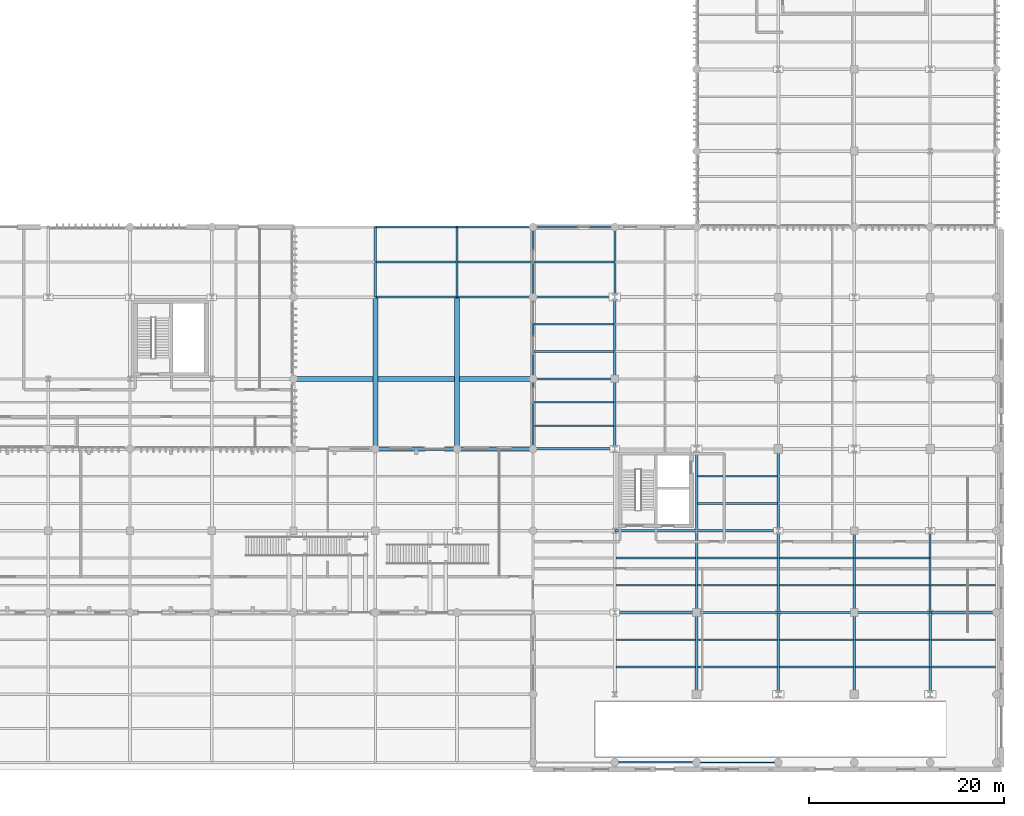
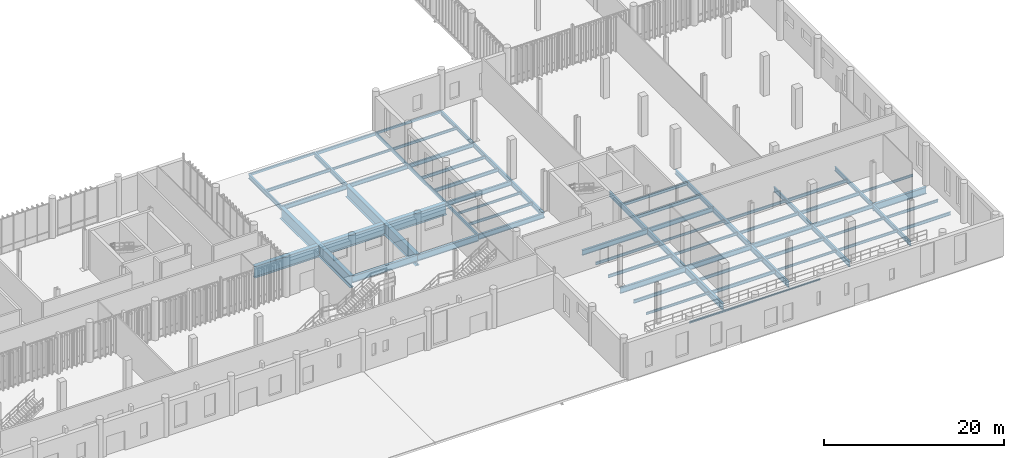
# One storey, part 54 of 112: 68 beams.
"""IFC4 building model written with IfcOpenShell, lengths in metres."""

from ifc_helpers import new_model, si_unit, direction, frame, origin_with_axes, origin_2d_with_axis, place, context, subcontext, project, spatial, hollow_rectangle, i_section, extrude, material, material_profile, profile_set, type_object, element, save


model = new_model("IFC4")

# Units and contexts
model_context = context("Model", 3, precision=1e-05, world=origin_with_axes(), true_north=direction((0.0, 1.0)))
body_context = subcontext(model_context, "Body", "Model", "MODEL_VIEW")
ifc_project = project(units=[si_unit("LENGTHUNIT", "METRE"), si_unit("AREAUNIT", "SQUARE_METRE"), si_unit("VOLUMEUNIT", "CUBIC_METRE"), si_unit("PLANEANGLEUNIT", "RADIAN"), si_unit("MASSUNIT", "GRAM", prefix="KILO"), si_unit("THERMODYNAMICTEMPERATUREUNIT", "KELVIN")], contexts=[model_context])

# Site, building, storey
site_placement = place(None, origin_with_axes())
site = spatial("IfcSite", under=ifc_project, at=site_placement, CompositionType="ELEMENT")
building_placement = place(site_placement, origin_with_axes())
building = spatial("IfcBuilding", under=site, at=building_placement, Name="Montbau Bow Law Courts", CompositionType="ELEMENT")
storey_placement = place(building_placement, origin_with_axes())
storey = spatial("IfcBuildingStorey", under=building, at=storey_placement, Name="L00", CompositionType="ELEMENT", Elevation=0.0)

# Beams
ifc_material_1 = material(Name="Steel CSA G40.21 Grade 350W (350 MPa)", Category="steel")
ifc_material_profile_1 = material_profile(ifc_material_1, i_section(OverallWidth=0.306, OverallDepth=0.919, WebThickness=0.0173, FlangeThickness=0.0279, at=origin_2d_with_axis()), Name="W920X253", Category="Main", Priority=0)
ifc_profile_set_1 = profile_set([ifc_material_profile_1], Name="Steel CSA G40.21 Grade 350W (350 MPa)")
beam_type_1 = type_object("IfcBeamType", Name="B-FLR-01", PredefinedType="BEAM", material=ifc_profile_set_1)
beam_1_placement = place(None, frame((105.6, 39.0, -0.75), z_axis=(1.0, 0.0, 0.0), x_axis=(0.0, 1.0, 0.0)))
element("IfcBeam", 1, at=beam_1_placement, inside=storey, type_object=beam_type_1, Name="BM-L00-S0195:bm2_0198", PredefinedType="BEAM", context=body_context, shape_type="SweptSolid", body=[
    extrude(i_section(OverallWidth=0.306, OverallDepth=0.919, WebThickness=0.0173, FlangeThickness=0.0279, at=origin_2d_with_axis()), origin_with_axes(), (0.0, 0.0, 1.0), 8.4),
])
beam_2_placement = place(None, frame((162.6, 22.2, -0.8), z_axis=(1.0, 0.0, 0.0), x_axis=(0.0, 1.0, 0.0)))
element("IfcBeam", 2, at=beam_2_placement, inside=storey, type_object=beam_type_1, Name="BM-L00-S0335:bm2_0338", PredefinedType="BEAM", context=body_context, shape_type="SweptSolid", body=[
    extrude(i_section(OverallWidth=0.306, OverallDepth=0.919, WebThickness=0.0173, FlangeThickness=0.0279, at=origin_2d_with_axis()), origin_with_axes(), (0.0, 0.0, 1.0), 6.8),
])
ifc_material_profile_2 = material_profile(ifc_material_1, i_section(OverallWidth=0.293, OverallDepth=0.846, WebThickness=0.0154, FlangeThickness=0.0244, at=origin_2d_with_axis()), Name="W840X210", Category="Main", Priority=0)
ifc_profile_set_2 = profile_set([ifc_material_profile_2], Name="Steel CSA G40.21 Grade 350W (350 MPa)")
beam_type_2 = type_object("IfcBeamType", Name="B-FLR-02", PredefinedType="BEAM", material=ifc_profile_set_2)
beam_3_placement = place(None, frame((114.0, 39.0, -0.763), z_axis=(1.0, 0.0, 0.0), x_axis=(0.0, 1.0, 0.0)))
element("IfcBeam", 3, at=beam_3_placement, inside=storey, type_object=beam_type_2, Name="BM-L00-S0196:bm2_0199", PredefinedType="BEAM", context=body_context, shape_type="SweptSolid", body=[
    extrude(i_section(OverallWidth=0.293, OverallDepth=0.846, WebThickness=0.0154, FlangeThickness=0.0244, at=origin_2d_with_axis()), origin_with_axes(), (0.0, 0.0, 1.0), 7.8),
])
beam_4_placement = place(None, frame((138.6, 13.8, -0.763), z_axis=(0.0, 1.0, 0.0), x_axis=(-1.0, 0.0, 0.0)))
element("IfcBeam", 4, at=beam_4_placement, inside=storey, type_object=beam_type_2, Name="BM-L00-S0372:bm2_0375", PredefinedType="BEAM", context=body_context, shape_type="SweptSolid", body=[
    extrude(i_section(OverallWidth=0.293, OverallDepth=0.846, WebThickness=0.0154, FlangeThickness=0.0244, at=origin_2d_with_axis()), origin_with_axes(), (0.0, 0.0, 1.0), 8.4),
])
ifc_material_profile_3 = material_profile(ifc_material_1, i_section(OverallWidth=0.267, OverallDepth=0.766, WebThickness=0.0149, FlangeThickness=0.0236, at=origin_2d_with_axis()), Name="W760X185", Category="Main", Priority=0)
ifc_profile_set_3 = profile_set([ifc_material_profile_3], Name="Steel CSA G40.21 Grade 350W (350 MPa)")
beam_type_3 = type_object("IfcBeamType", Name="B-FLR-03", PredefinedType="BEAM", material=ifc_profile_set_3)
for number, where, z_axis, x_axis, name in (
    (5, (130.2, 22.2, -0.723), (1.0, 0.0, 0.0), (0.0, 1.0, 0.0), "BM-L00-S0331:bm2_0334"),
    (6, (138.6, 22.2, -0.723), (0.0, 1.0, 0.0), (-1.0, 0.0, 0.0), "BM-L00-S0373:bm2_0376"),
    (7, (147.0, 13.8, -0.723), (0.0, 1.0, 0.0), (-1.0, 0.0, 0.0), "BM-L00-S0378:bm2_0381"),
):
    element("IfcBeam", number, at=place(None, frame(where, z_axis=z_axis, x_axis=x_axis)), inside=storey, type_object=beam_type_3, Name=name, PredefinedType="BEAM", context=body_context, shape_type="SweptSolid", body=[
        extrude(i_section(OverallWidth=0.267, OverallDepth=0.766, WebThickness=0.0149, FlangeThickness=0.0236, at=origin_2d_with_axis()), origin_with_axes(), (0.0, 0.0, 1.0), 8.4),
    ])
ifc_material_profile_4 = material_profile(ifc_material_1, i_section(OverallWidth=0.254, OverallDepth=0.688, WebThickness=0.0131, FlangeThickness=0.0211, at=origin_2d_with_axis()), Name="W690X152", Category="Main", Priority=0)
ifc_profile_set_4 = profile_set([ifc_material_profile_4], Name="Steel CSA G40.21 Grade 350W (350 MPa)")
beam_type_4 = type_object("IfcBeamType", Name="B-FLR-04", PredefinedType="BEAM", material=ifc_profile_set_4)
for number, where, z_axis, x_axis, name in (
    (8, (138.6, 22.2, -0.684), (1.0, 0.0, 0.0), (0.0, 1.0, 0.0), "BM-L00-S0332:bm2_0335"),
    (9, (130.2, 30.6, -0.684), (1.0, 0.0, 0.0), (0.0, 1.0, 0.0), "BM-L00-S0337:bm2_0340"),
    (10, (121.8, 39.0, -0.684), (1.0, 0.0, 0.0), (0.0, 1.0, 0.0), "BM-L00-S0342:bm2_0345"),
):
    element("IfcBeam", number, at=place(None, frame(where, z_axis=z_axis, x_axis=x_axis)), inside=storey, type_object=beam_type_4, Name=name, PredefinedType="BEAM", context=body_context, shape_type="SweptSolid", body=[
        extrude(i_section(OverallWidth=0.254, OverallDepth=0.688, WebThickness=0.0131, FlangeThickness=0.0211, at=origin_2d_with_axis()), origin_with_axes(), (0.0, 0.0, 1.0), 8.4),
    ])
beam_5_placement = place(None, frame((130.2, 39.0, -0.684), z_axis=(0.0, 1.0, 0.0), x_axis=(-1.0, 0.0, 0.0)))
element("IfcBeam", 11, at=beam_5_placement, inside=storey, type_object=beam_type_4, Name="BM-L00-S0369:bm2_0372", PredefinedType="BEAM", context=body_context, shape_type="SweptSolid", body=[
    extrude(i_section(OverallWidth=0.254, OverallDepth=0.688, WebThickness=0.0131, FlangeThickness=0.0211, at=origin_2d_with_axis()), origin_with_axes(), (0.0, 0.0, 1.0), 7.2),
])
for number, where, z_axis, x_axis, name in (
    (12, (138.6, 30.6, -0.684), (0.0, 1.0, 0.0), (-1.0, 0.0, 0.0), "BM-L00-S0374:bm2_0377"),
    (13, (147.0, 22.2, -0.684), (0.0, 1.0, 0.0), (-1.0, 0.0, 0.0), "BM-L00-S0379:bm2_0382"),
    (14, (154.8, 13.8, -0.684), (0.0, 1.0, 0.0), (-1.0, 0.0, 0.0), "BM-L00-S0384:bm2_0387"),
):
    element("IfcBeam", number, at=place(None, frame(where, z_axis=z_axis, x_axis=x_axis)), inside=storey, type_object=beam_type_4, Name=name, PredefinedType="BEAM", context=body_context, shape_type="SweptSolid", body=[
        extrude(i_section(OverallWidth=0.254, OverallDepth=0.688, WebThickness=0.0131, FlangeThickness=0.0211, at=origin_2d_with_axis()), origin_with_axes(), (0.0, 0.0, 1.0), 8.4),
    ])
ifc_material_profile_5 = material_profile(ifc_material_1, i_section(OverallWidth=0.229, OverallDepth=0.612, WebThickness=0.0119, FlangeThickness=0.0196, at=origin_2d_with_axis()), Name="W610X125", Category="Main", Priority=0)
ifc_profile_set_5 = profile_set([ifc_material_profile_5], Name="Steel CSA G40.21 Grade 350W (350 MPa)")
beam_type_5 = type_object("IfcBeamType", Name="B-FLR-05", PredefinedType="BEAM", material=ifc_profile_set_5)
beam_6_placement = place(None, frame((105.6, 54.6, -0.596), z_axis=(1.0, 0.0, 0.0), x_axis=(0.0, 1.0, 0.0)))
element("IfcBeam", 15, at=beam_6_placement, inside=storey, type_object=beam_type_5, Name="BM-L00-S0221:bm2_0224", PredefinedType="BEAM", context=body_context, shape_type="SweptSolid", body=[
    extrude(i_section(OverallWidth=0.229, OverallDepth=0.612, WebThickness=0.0119, FlangeThickness=0.0196, at=origin_2d_with_axis()), origin_with_axes(), (0.0, 0.0, 1.0), 8.4),
])
for number, where, z_axis, x_axis, name in (
    (16, (105.6, 54.6, -0.596), (0.0, 1.0, 0.0), (-1.0, 0.0, 0.0), "BM-L00-S0317:bm2_0320"),
    (17, (114.0, 54.6, -0.596), (0.0, 1.0, 0.0), (-1.0, 0.0, 0.0), "BM-L00-S0322:bm2_0325"),
):
    element("IfcBeam", number, at=place(None, frame(where, z_axis=z_axis, x_axis=x_axis)), inside=storey, type_object=beam_type_5, Name=name, PredefinedType="BEAM", context=body_context, shape_type="SweptSolid", body=[
        extrude(i_section(OverallWidth=0.229, OverallDepth=0.612, WebThickness=0.0119, FlangeThickness=0.0196, at=origin_2d_with_axis()), origin_with_axes(), (0.0, 0.0, 1.0), 7.2),
    ])
beam_7_placement = place(None, frame((147.0, 22.2, -0.646), z_axis=(1.0, 0.0, 0.0), x_axis=(0.0, 1.0, 0.0)))
element("IfcBeam", 18, at=beam_7_placement, inside=storey, type_object=beam_type_5, Name="BM-L00-S0333:bm2_0336", PredefinedType="BEAM", context=body_context, shape_type="SweptSolid", body=[
    extrude(i_section(OverallWidth=0.229, OverallDepth=0.612, WebThickness=0.0119, FlangeThickness=0.0196, at=origin_2d_with_axis()), origin_with_axes(), (0.0, 0.0, 1.0), 7.8),
])
for number, where, z_axis, x_axis, name in (
    (19, (138.6, 30.6, -0.646), (1.0, 0.0, 0.0), (0.0, 1.0, 0.0), "BM-L00-S0338:bm2_0341"),
    (20, (121.8, 46.2, -0.646), (1.0, 0.0, 0.0), (0.0, 1.0, 0.0), "BM-L00-S0348:bm2_0351"),
    (21, (130.2, 46.2, -0.646), (0.0, 1.0, 0.0), (-1.0, 0.0, 0.0), "BM-L00-S0370:bm2_0373"),
    (22, (147.0, 30.6, -0.646), (0.0, 1.0, 0.0), (-1.0, 0.0, 0.0), "BM-L00-S0380:bm2_0383"),
    (23, (154.8, 22.2, -0.646), (0.0, 1.0, 0.0), (-1.0, 0.0, 0.0), "BM-L00-S0385:bm2_0388"),
    (24, (162.6, 13.8, -0.646), (0.0, 1.0, 0.0), (-1.0, 0.0, 0.0), "BM-L00-S0390:bm2_0393"),
):
    element("IfcBeam", number, at=place(None, frame(where, z_axis=z_axis, x_axis=x_axis)), inside=storey, type_object=beam_type_5, Name=name, PredefinedType="BEAM", context=body_context, shape_type="SweptSolid", body=[
        extrude(i_section(OverallWidth=0.229, OverallDepth=0.612, WebThickness=0.0119, FlangeThickness=0.0196, at=origin_2d_with_axis()), origin_with_axes(), (0.0, 0.0, 1.0), 8.4),
    ])
ifc_material_profile_6 = material_profile(ifc_material_1, i_section(OverallWidth=0.21, OverallDepth=0.537, WebThickness=0.0109, FlangeThickness=0.0174, at=origin_2d_with_axis()), Name="W530X101", Category="Main", Priority=0)
ifc_profile_set_6 = profile_set([ifc_material_profile_6], Name="Steel CSA G40.21 Grade 350W (350 MPa)")
beam_type_6 = type_object("IfcBeamType", Name="B-FLR-06", PredefinedType="BEAM", material=ifc_profile_set_6)
for number, where, z_axis, x_axis, name in (
    (25, (114.0, 54.6, -0.609), (1.0, 0.0, 0.0), (0.0, 1.0, 0.0), "BM-L00-S0222:bm2_0225"),
    (26, (154.8, 22.2, -0.609), (1.0, 0.0, 0.0), (0.0, 1.0, 0.0), "BM-L00-S0334:bm2_0337"),
):
    element("IfcBeam", number, at=place(None, frame(where, z_axis=z_axis, x_axis=x_axis)), inside=storey, type_object=beam_type_6, Name=name, PredefinedType="BEAM", context=body_context, shape_type="SweptSolid", body=[
        extrude(i_section(OverallWidth=0.21, OverallDepth=0.537, WebThickness=0.0109, FlangeThickness=0.0174, at=origin_2d_with_axis()), origin_with_axes(), (0.0, 0.0, 1.0), 7.8),
    ])
beam_8_placement = place(None, frame((121.8, 54.6, -0.609), z_axis=(1.0, 0.0, 0.0), x_axis=(0.0, 1.0, 0.0)))
element("IfcBeam", 27, at=beam_8_placement, inside=storey, type_object=beam_type_6, Name="BM-L00-S0354:bm2_0357", PredefinedType="BEAM", context=body_context, shape_type="SweptSolid", body=[
    extrude(i_section(OverallWidth=0.21, OverallDepth=0.537, WebThickness=0.0109, FlangeThickness=0.0174, at=origin_2d_with_axis()), origin_with_axes(), (0.0, 0.0, 1.0), 8.4),
])
beam_9_placement = place(None, frame((130.2, 54.6, -0.609), z_axis=(0.0, 1.0, 0.0), x_axis=(-1.0, 0.0, 0.0)))
element("IfcBeam", 28, at=beam_9_placement, inside=storey, type_object=beam_type_6, Name="BM-L00-S0371:bm2_0374", PredefinedType="BEAM", context=body_context, shape_type="SweptSolid", body=[
    extrude(i_section(OverallWidth=0.21, OverallDepth=0.537, WebThickness=0.0109, FlangeThickness=0.0174, at=origin_2d_with_axis()), origin_with_axes(), (0.0, 0.0, 1.0), 7.2),
])
beam_10_placement = place(None, frame((162.6, 22.2, -0.609), z_axis=(0.0, 1.0, 0.0), x_axis=(-1.0, 0.0, 0.0)))
element("IfcBeam", 29, at=beam_10_placement, inside=storey, type_object=beam_type_6, Name="BM-L00-S0391:bm2_0394", PredefinedType="BEAM", context=body_context, shape_type="SweptSolid", body=[
    extrude(i_section(OverallWidth=0.21, OverallDepth=0.537, WebThickness=0.0109, FlangeThickness=0.0174, at=origin_2d_with_axis()), origin_with_axes(), (0.0, 0.0, 1.0), 8.4),
])
ifc_material_profile_7 = material_profile(ifc_material_1, i_section(OverallWidth=0.191, OverallDepth=0.46, WebThickness=0.0099, FlangeThickness=0.016, at=origin_2d_with_axis()), Name="W460X82", Category="Main", Priority=0)
ifc_profile_set_7 = profile_set([ifc_material_profile_7], Name="Steel CSA G40.21 Grade 350W (350 MPa)")
beam_type_7 = type_object("IfcBeamType", Name="B-JST-01", PredefinedType="JOIST", material=ifc_profile_set_7)
beam_11_placement = place(None, frame((121.88, 49.0, -0.57), z_axis=(1.0, 0.0, 0.0), x_axis=(0.0, 1.0, 0.0)))
element("IfcBeam", 30, at=beam_11_placement, inside=storey, type_object=beam_type_7, Name="JST-L00-S0124:jst2_0124", PredefinedType="JOIST", context=body_context, shape_type="SweptSolid", body=[
    extrude(i_section(OverallWidth=0.191, OverallDepth=0.46, WebThickness=0.0099, FlangeThickness=0.016, at=origin_2d_with_axis()), origin_with_axes(), (0.0, 0.0, 1.0), 8.229),
])
beam_12_placement = place(None, frame((130.329, 19.4, -0.57), z_axis=(1.0, 0.0, 0.0), x_axis=(0.0, 1.0, 0.0)))
element("IfcBeam", 31, at=beam_12_placement, inside=storey, type_object=beam_type_7, Name="JST-L00-S0128:jst2_0128", PredefinedType="JOIST", context=body_context, shape_type="SweptSolid", body=[
    extrude(i_section(OverallWidth=0.191, OverallDepth=0.46, WebThickness=0.0099, FlangeThickness=0.016, at=origin_2d_with_axis()), origin_with_axes(), (0.0, 0.0, 1.0), 8.148),
])
beam_13_placement = place(None, frame((138.722, 16.6, -0.57), z_axis=(1.0, 0.0, 0.0), x_axis=(0.0, 1.0, 0.0)))
element("IfcBeam", 32, at=beam_13_placement, inside=storey, type_object=beam_type_7, Name="JST-L00-S0136:jst2_0136", PredefinedType="JOIST", context=body_context, shape_type="SweptSolid", body=[
    extrude(i_section(OverallWidth=0.191, OverallDepth=0.46, WebThickness=0.0099, FlangeThickness=0.016, at=origin_2d_with_axis()), origin_with_axes(), (0.0, 0.0, 1.0), 8.169),
])
beam_14_placement = place(None, frame((138.703, 33.4, -0.57), z_axis=(1.0, 0.0, 0.0), x_axis=(0.0, 1.0, 0.0)))
element("IfcBeam", 33, at=beam_14_placement, inside=storey, type_object=beam_type_7, Name="JST-L00-S0140:jst2_0140", PredefinedType="JOIST", context=body_context, shape_type="SweptSolid", body=[
    extrude(i_section(OverallWidth=0.191, OverallDepth=0.46, WebThickness=0.0099, FlangeThickness=0.016, at=origin_2d_with_axis()), origin_with_axes(), (0.0, 0.0, 1.0), 8.207),
])
beam_15_placement = place(None, frame((147.109, 19.4, -0.57), z_axis=(1.0, 0.0, 0.0), x_axis=(0.0, 1.0, 0.0)))
element("IfcBeam", 34, at=beam_15_placement, inside=storey, type_object=beam_type_7, Name="JST-L00-S0148:jst2_0148", PredefinedType="JOIST", context=body_context, shape_type="SweptSolid", body=[
    extrude(i_section(OverallWidth=0.191, OverallDepth=0.46, WebThickness=0.0099, FlangeThickness=0.016, at=origin_2d_with_axis()), origin_with_axes(), (0.0, 0.0, 1.0), 7.588),
])
beam_16_placement = place(None, frame((154.891, 25.0, -0.57), z_axis=(1.0, 0.0, 0.0), x_axis=(0.0, 1.0, 0.0)))
element("IfcBeam", 35, at=beam_16_placement, inside=storey, type_object=beam_type_7, Name="JST-L00-S0160:jst2_0160", PredefinedType="JOIST", context=body_context, shape_type="SweptSolid", body=[
    extrude(i_section(OverallWidth=0.191, OverallDepth=0.46, WebThickness=0.0099, FlangeThickness=0.016, at=origin_2d_with_axis()), origin_with_axes(), (0.0, 0.0, 1.0), 7.628),
])
ifc_material_profile_8 = material_profile(ifc_material_1, i_section(OverallWidth=0.179, OverallDepth=0.41, WebThickness=0.0088, FlangeThickness=0.0144, at=origin_2d_with_axis()), Name="W410X67", Category="Main", Priority=0)
ifc_profile_set_8 = profile_set([ifc_material_profile_8], Name="Steel CSA G40.21 Grade 350W (350 MPa)")
beam_type_8 = type_object("IfcBeamType", Name="B-JST-02", PredefinedType="JOIST", material=ifc_profile_set_8)
beam_17_placement = place(None, frame((105.691, 58.2, -0.495), z_axis=(1.0, 0.0, 0.0), x_axis=(0.0, 1.0, 0.0)))
element("IfcBeam", 36, at=beam_17_placement, inside=storey, type_object=beam_type_8, Name="JST-L00-S0109:jst2_0109", PredefinedType="JOIST", context=body_context, shape_type="SweptSolid", body=[
    extrude(i_section(OverallWidth=0.179, OverallDepth=0.41, WebThickness=0.0088, FlangeThickness=0.0144, at=origin_2d_with_axis()), origin_with_axes(), (0.0, 0.0, 1.0), 8.218),
])
beam_18_placement = place(None, frame((121.88, 51.8, -0.545), z_axis=(1.0, 0.0, 0.0), x_axis=(0.0, 1.0, 0.0)))
element("IfcBeam", 37, at=beam_18_placement, inside=storey, type_object=beam_type_8, Name="JST-L00-S0125:jst2_0125", PredefinedType="JOIST", context=body_context, shape_type="SweptSolid", body=[
    extrude(i_section(OverallWidth=0.179, OverallDepth=0.41, WebThickness=0.0088, FlangeThickness=0.0144, at=origin_2d_with_axis()), origin_with_axes(), (0.0, 0.0, 1.0), 8.229),
])
beam_19_placement = place(None, frame((130.322, 25.0, -0.545), z_axis=(1.0, 0.0, 0.0), x_axis=(0.0, 1.0, 0.0)))
element("IfcBeam", 38, at=beam_19_placement, inside=storey, type_object=beam_type_8, Name="JST-L00-S0129:jst2_0129", PredefinedType="JOIST", context=body_context, shape_type="SweptSolid", body=[
    extrude(i_section(OverallWidth=0.179, OverallDepth=0.41, WebThickness=0.0088, FlangeThickness=0.0144, at=origin_2d_with_axis()), origin_with_axes(), (0.0, 0.0, 1.0), 8.168),
])
beam_20_placement = place(None, frame((138.722, 19.4, -0.545), z_axis=(1.0, 0.0, 0.0), x_axis=(0.0, 1.0, 0.0)))
element("IfcBeam", 39, at=beam_20_placement, inside=storey, type_object=beam_type_8, Name="JST-L00-S0137:jst2_0137", PredefinedType="JOIST", context=body_context, shape_type="SweptSolid", body=[
    extrude(i_section(OverallWidth=0.179, OverallDepth=0.41, WebThickness=0.0088, FlangeThickness=0.0144, at=origin_2d_with_axis()), origin_with_axes(), (0.0, 0.0, 1.0), 8.169),
])
beam_21_placement = place(None, frame((138.703, 36.2, -0.545), z_axis=(1.0, 0.0, 0.0), x_axis=(0.0, 1.0, 0.0)))
element("IfcBeam", 40, at=beam_21_placement, inside=storey, type_object=beam_type_8, Name="JST-L00-S0141:jst2_0141", PredefinedType="JOIST", context=body_context, shape_type="SweptSolid", body=[
    extrude(i_section(OverallWidth=0.179, OverallDepth=0.41, WebThickness=0.0088, FlangeThickness=0.0144, at=origin_2d_with_axis()), origin_with_axes(), (0.0, 0.0, 1.0), 8.207),
])
beam_22_placement = place(None, frame((147.103, 25.0, -0.545), z_axis=(1.0, 0.0, 0.0), x_axis=(0.0, 1.0, 0.0)))
element("IfcBeam", 41, at=beam_22_placement, inside=storey, type_object=beam_type_8, Name="JST-L00-S0149:jst2_0149", PredefinedType="JOIST", context=body_context, shape_type="SweptSolid", body=[
    extrude(i_section(OverallWidth=0.179, OverallDepth=0.41, WebThickness=0.0088, FlangeThickness=0.0144, at=origin_2d_with_axis()), origin_with_axes(), (0.0, 0.0, 1.0), 7.607),
])
beam_23_placement = place(None, frame((154.891, 27.8, -0.545), z_axis=(1.0, 0.0, 0.0), x_axis=(0.0, 1.0, 0.0)))
element("IfcBeam", 42, at=beam_23_placement, inside=storey, type_object=beam_type_8, Name="JST-L00-S0161:jst2_0161", PredefinedType="JOIST", context=body_context, shape_type="SweptSolid", body=[
    extrude(i_section(OverallWidth=0.179, OverallDepth=0.41, WebThickness=0.0088, FlangeThickness=0.0144, at=origin_2d_with_axis()), origin_with_axes(), (0.0, 0.0, 1.0), 7.628),
])
beam_24_placement = place(None, frame((162.69, 16.6, -0.545), z_axis=(1.0, 0.0, 0.0), x_axis=(0.0, 1.0, 0.0)))
element("IfcBeam", 43, at=beam_24_placement, inside=storey, type_object=beam_type_8, Name="JST-L00-S0169:jst2_0169", PredefinedType="JOIST", context=body_context, shape_type="SweptSolid", body=[
    extrude(i_section(OverallWidth=0.179, OverallDepth=0.41, WebThickness=0.0088, FlangeThickness=0.0144, at=origin_2d_with_axis()), origin_with_axes(), (0.0, 0.0, 1.0), 6.63),
])
ifc_material_profile_9 = material_profile(ifc_material_1, i_section(OverallWidth=0.172, OverallDepth=0.358, WebThickness=0.0079, FlangeThickness=0.0131, at=origin_2d_with_axis()), Name="W360X57", Category="Main", Priority=0)
ifc_profile_set_9 = profile_set([ifc_material_profile_9], Name="Steel CSA G40.21 Grade 350W (350 MPa)")
beam_type_9 = type_object("IfcBeamType", Name="B-JST-03", PredefinedType="JOIST", material=ifc_profile_set_9)
beam_25_placement = place(None, frame((121.88, 41.4, -0.519), z_axis=(1.0, 0.0, 0.0), x_axis=(0.0, 1.0, 0.0)))
element("IfcBeam", 44, at=beam_25_placement, inside=storey, type_object=beam_type_9, Name="JST-L00-S0122:jst2_0122", PredefinedType="JOIST", context=body_context, shape_type="SweptSolid", body=[
    extrude(i_section(OverallWidth=0.172, OverallDepth=0.358, WebThickness=0.0079, FlangeThickness=0.0131, at=origin_2d_with_axis()), origin_with_axes(), (0.0, 0.0, 1.0), 8.217),
])
beam_26_placement = place(None, frame((121.88, 58.2, -0.519), z_axis=(1.0, 0.0, 0.0), x_axis=(0.0, 1.0, 0.0)))
element("IfcBeam", 45, at=beam_26_placement, inside=storey, type_object=beam_type_9, Name="JST-L00-S0126:jst2_0126", PredefinedType="JOIST", context=body_context, shape_type="SweptSolid", body=[
    extrude(i_section(OverallWidth=0.172, OverallDepth=0.358, WebThickness=0.0079, FlangeThickness=0.0131, at=origin_2d_with_axis()), origin_with_axes(), (0.0, 0.0, 1.0), 8.239),
])
beam_27_placement = place(None, frame((130.322, 27.8, -0.519), z_axis=(1.0, 0.0, 0.0), x_axis=(0.0, 1.0, 0.0)))
element("IfcBeam", 46, at=beam_27_placement, inside=storey, type_object=beam_type_9, Name="JST-L00-S0130:jst2_0130", PredefinedType="JOIST", context=body_context, shape_type="SweptSolid", body=[
    extrude(i_section(OverallWidth=0.172, OverallDepth=0.358, WebThickness=0.0079, FlangeThickness=0.0131, at=origin_2d_with_axis()), origin_with_axes(), (0.0, 0.0, 1.0), 8.168),
])
beam_28_placement = place(None, frame((138.709, 25.0, -0.519), z_axis=(1.0, 0.0, 0.0), x_axis=(0.0, 1.0, 0.0)))
element("IfcBeam", 47, at=beam_28_placement, inside=storey, type_object=beam_type_9, Name="JST-L00-S0138:jst2_0138", PredefinedType="JOIST", context=body_context, shape_type="SweptSolid", body=[
    extrude(i_section(OverallWidth=0.172, OverallDepth=0.358, WebThickness=0.0079, FlangeThickness=0.0131, at=origin_2d_with_axis()), origin_with_axes(), (0.0, 0.0, 1.0), 8.188),
])
for number, where, z_axis, x_axis, name in (
    (48, (147.103, 27.8, -0.519), (1.0, 0.0, 0.0), (0.0, 1.0, 0.0), "JST-L00-S0150:jst2_0150"),
    (49, (154.903, 16.6, -0.519), (1.0, 0.0, 0.0), (0.0, 1.0, 0.0), "JST-L00-S0158:jst2_0158"),
):
    element("IfcBeam", number, at=place(None, frame(where, z_axis=z_axis, x_axis=x_axis)), inside=storey, type_object=beam_type_9, Name=name, PredefinedType="JOIST", context=body_context, shape_type="SweptSolid", body=[
        extrude(i_section(OverallWidth=0.172, OverallDepth=0.358, WebThickness=0.0079, FlangeThickness=0.0131, at=origin_2d_with_axis()), origin_with_axes(), (0.0, 0.0, 1.0), 7.607),
    ])
beam_29_placement = place(None, frame((162.69, 19.4, -0.519), z_axis=(1.0, 0.0, 0.0), x_axis=(0.0, 1.0, 0.0)))
element("IfcBeam", 50, at=beam_29_placement, inside=storey, type_object=beam_type_9, Name="JST-L00-S0170:jst2_0170", PredefinedType="JOIST", context=body_context, shape_type="SweptSolid", body=[
    extrude(i_section(OverallWidth=0.172, OverallDepth=0.358, WebThickness=0.0079, FlangeThickness=0.0131, at=origin_2d_with_axis()), origin_with_axes(), (0.0, 0.0, 1.0), 6.63),
])
ifc_material_profile_10 = material_profile(ifc_material_1, i_section(OverallWidth=0.166, OverallDepth=0.313, WebThickness=0.0066, FlangeThickness=0.0112, at=origin_2d_with_axis()), Name="W310X45", Category="Main", Priority=0)
ifc_profile_set_10 = profile_set([ifc_material_profile_10], Name="Steel CSA G40.21 Grade 350W (350 MPa)")
beam_type_10 = type_object("IfcBeamType", Name="B-JST-04", PredefinedType="JOIST", material=ifc_profile_set_10)
beam_30_placement = place(None, frame((114.091, 58.2, -0.497), z_axis=(1.0, 0.0, 0.0), x_axis=(0.0, 1.0, 0.0)))
element("IfcBeam", 51, at=beam_30_placement, inside=storey, type_object=beam_type_10, Name="JST-L00-S0115:jst2_0115", PredefinedType="JOIST", context=body_context, shape_type="SweptSolid", body=[
    extrude(i_section(OverallWidth=0.166, OverallDepth=0.313, WebThickness=0.0066, FlangeThickness=0.0112, at=origin_2d_with_axis()), origin_with_axes(), (0.0, 0.0, 1.0), 7.629),
])
beam_31_placement = place(None, frame((121.88, 43.8, -0.497), z_axis=(1.0, 0.0, 0.0), x_axis=(0.0, 1.0, 0.0)))
element("IfcBeam", 52, at=beam_31_placement, inside=storey, type_object=beam_type_10, Name="JST-L00-S0123:jst2_0123", PredefinedType="JOIST", context=body_context, shape_type="SweptSolid", body=[
    extrude(i_section(OverallWidth=0.166, OverallDepth=0.313, WebThickness=0.0066, FlangeThickness=0.0112, at=origin_2d_with_axis()), origin_with_axes(), (0.0, 0.0, 1.0), 8.217),
])
beam_32_placement = place(None, frame((130.329, 16.6, -0.497), z_axis=(1.0, 0.0, 0.0), x_axis=(0.0, 1.0, 0.0)))
element("IfcBeam", 53, at=beam_32_placement, inside=storey, type_object=beam_type_10, Name="JST-L00-S0127:jst2_0127", PredefinedType="JOIST", context=body_context, shape_type="SweptSolid", body=[
    extrude(i_section(OverallWidth=0.166, OverallDepth=0.313, WebThickness=0.0066, FlangeThickness=0.0112, at=origin_2d_with_axis()), origin_with_axes(), (0.0, 0.0, 1.0), 8.148),
])
beam_33_placement = place(None, frame((138.709, 27.8, -0.497), z_axis=(1.0, 0.0, 0.0), x_axis=(0.0, 1.0, 0.0)))
element("IfcBeam", 54, at=beam_33_placement, inside=storey, type_object=beam_type_10, Name="JST-L00-S0139:jst2_0139", PredefinedType="JOIST", context=body_context, shape_type="SweptSolid", body=[
    extrude(i_section(OverallWidth=0.166, OverallDepth=0.313, WebThickness=0.0066, FlangeThickness=0.0112, at=origin_2d_with_axis()), origin_with_axes(), (0.0, 0.0, 1.0), 8.188),
])
beam_34_placement = place(None, frame((147.109, 16.6, -0.497), z_axis=(1.0, 0.0, 0.0), x_axis=(0.0, 1.0, 0.0)))
element("IfcBeam", 55, at=beam_34_placement, inside=storey, type_object=beam_type_10, Name="JST-L00-S0147:jst2_0147", PredefinedType="JOIST", context=body_context, shape_type="SweptSolid", body=[
    extrude(i_section(OverallWidth=0.166, OverallDepth=0.313, WebThickness=0.0066, FlangeThickness=0.0112, at=origin_2d_with_axis()), origin_with_axes(), (0.0, 0.0, 1.0), 7.588),
])
beam_35_placement = place(None, frame((154.903, 19.4, -0.497), z_axis=(1.0, 0.0, 0.0), x_axis=(0.0, 1.0, 0.0)))
element("IfcBeam", 56, at=beam_35_placement, inside=storey, type_object=beam_type_10, Name="JST-L00-S0159:jst2_0159", PredefinedType="JOIST", context=body_context, shape_type="SweptSolid", body=[
    extrude(i_section(OverallWidth=0.166, OverallDepth=0.313, WebThickness=0.0066, FlangeThickness=0.0112, at=origin_2d_with_axis()), origin_with_axes(), (0.0, 0.0, 1.0), 7.607),
])
beam_36_placement = place(None, frame((162.681, 25.0, -0.497), z_axis=(1.0, 0.0, 0.0), x_axis=(0.0, 1.0, 0.0)))
element("IfcBeam", 57, at=beam_36_placement, inside=storey, type_object=beam_type_10, Name="JST-L00-S0171:jst2_0171", PredefinedType="JOIST", context=body_context, shape_type="SweptSolid", body=[
    extrude(i_section(OverallWidth=0.166, OverallDepth=0.313, WebThickness=0.0066, FlangeThickness=0.0112, at=origin_2d_with_axis()), origin_with_axes(), (0.0, 0.0, 1.0), 6.639),
])
ifc_material_profile_11 = material_profile(ifc_material_1, i_section(OverallWidth=0.147, OverallDepth=0.262, WebThickness=0.0066, FlangeThickness=0.0112, at=origin_2d_with_axis()), Name="W250X39", Category="Main", Priority=0)
ifc_profile_set_11 = profile_set([ifc_material_profile_11], Name="Steel CSA G40.21 Grade 350W (350 MPa)")
beam_type_11 = type_object("IfcBeamType", Name="B-LNT-01", PredefinedType="LINTEL", material=ifc_profile_set_11)
beam_37_placement = place(None, frame((130.2, 6.8, 4.3), z_axis=(1.0, 0.0, 0.0), x_axis=(0.0, 1.0, 0.0)))
element("IfcBeam", 58, at=beam_37_placement, inside=storey, type_object=beam_type_11, Name="LNT-L00-05:lnt_0005", PredefinedType="LINTEL", context=body_context, shape_type="SweptSolid", body=[
    extrude(i_section(OverallWidth=0.147, OverallDepth=0.262, WebThickness=0.0066, FlangeThickness=0.0112, at=origin_2d_with_axis()), origin_with_axes(), (0.0, 0.0, 1.0), 8.4),
])
ifc_material_profile_12 = material_profile(ifc_material_1, i_section(OverallWidth=0.134, OverallDepth=0.21, WebThickness=0.0064, FlangeThickness=0.0102, at=origin_2d_with_axis()), Name="W200X31", Category="Main", Priority=0)
ifc_profile_set_12 = profile_set([ifc_material_profile_12], Name="Steel CSA G40.21 Grade 350W (350 MPa)")
beam_type_12 = type_object("IfcBeamType", Name="B-LNT-02", PredefinedType="LINTEL", material=ifc_profile_set_12)
beam_38_placement = place(None, frame((138.6, 6.8, 4.3), z_axis=(1.0, 0.0, 0.0), x_axis=(0.0, 1.0, 0.0)))
element("IfcBeam", 59, at=beam_38_placement, inside=storey, type_object=beam_type_12, Name="LNT-L00-06:lnt_0006", PredefinedType="LINTEL", context=body_context, shape_type="SweptSolid", body=[
    extrude(i_section(OverallWidth=0.134, OverallDepth=0.21, WebThickness=0.0064, FlangeThickness=0.0102, at=origin_2d_with_axis()), origin_with_axes(), (0.0, 0.0, 1.0), 8.4),
])
ifc_material_2 = material(Name="Steel CSA G40.21 Grade 350WT (350 MPa)", Category="steel")
ifc_material_profile_13 = material_profile(ifc_material_2, hollow_rectangle(XDim=0.203, YDim=0.406, WallThickness=0.0127, InnerFilletRadius=0.0254, OuterFilletRadius=0.0127, at=origin_2d_with_axis()), Name="HSS406X203X13", Category="Main", Priority=0)
ifc_profile_set_13 = profile_set([ifc_material_profile_13], Name="Steel CSA G40.21 Grade 350WT (350 MPa)")
beam_type_13 = type_object("IfcBeamType", Name="B-SPN-01", PredefinedType="SPANDREL", material=ifc_profile_set_13)
beam_39_placement = place(None, frame((114.0, 61.8, -0.543), z_axis=(1.0, 0.0, 0.0), x_axis=(0.0, 1.0, 0.0)))
element("IfcBeam", 60, at=beam_39_placement, inside=storey, type_object=beam_type_13, Name="SPN-L00-S0235:bm2_0238", PredefinedType="SPANDREL", context=body_context, shape_type="SweptSolid", body=[
    extrude(hollow_rectangle(XDim=0.203, YDim=0.406, WallThickness=0.0127, InnerFilletRadius=0.0254, OuterFilletRadius=0.0127, at=origin_2d_with_axis()), origin_with_axes(), (0.0, 0.0, 1.0), 7.8),
])
beam_40_placement = place(None, frame((121.8, 39.0, -0.543), z_axis=(0.0, 1.0, 0.0), x_axis=(-1.0, 0.0, 0.0)))
element("IfcBeam", 61, at=beam_40_placement, inside=storey, type_object=beam_type_13, Name="SPN-L00-S0327:bm2_0330", PredefinedType="SPANDREL", context=body_context, shape_type="SweptSolid", body=[
    extrude(hollow_rectangle(XDim=0.203, YDim=0.406, WallThickness=0.0127, InnerFilletRadius=0.0254, OuterFilletRadius=0.0127, at=origin_2d_with_axis()), origin_with_axes(), (0.0, 0.0, 1.0), 7.2),
])
beam_41_placement = place(None, frame((121.8, 46.2, -0.543), z_axis=(0.0, 1.0, 0.0), x_axis=(-1.0, 0.0, 0.0)))
element("IfcBeam", 62, at=beam_41_placement, inside=storey, type_object=beam_type_13, Name="SPN-L00-S0328:bm2_0331", PredefinedType="SPANDREL", context=body_context, shape_type="SweptSolid", body=[
    extrude(hollow_rectangle(XDim=0.203, YDim=0.406, WallThickness=0.0127, InnerFilletRadius=0.0254, OuterFilletRadius=0.0127, at=origin_2d_with_axis()), origin_with_axes(), (0.0, 0.0, 1.0), 8.4),
])
beam_42_placement = place(None, frame((121.8, 54.6, -0.543), z_axis=(0.0, 1.0, 0.0), x_axis=(-1.0, 0.0, 0.0)))
element("IfcBeam", 63, at=beam_42_placement, inside=storey, type_object=beam_type_13, Name="SPN-L00-S0329:bm2_0332", PredefinedType="SPANDREL", context=body_context, shape_type="SweptSolid", body=[
    extrude(hollow_rectangle(XDim=0.203, YDim=0.406, WallThickness=0.0127, InnerFilletRadius=0.0254, OuterFilletRadius=0.0127, at=origin_2d_with_axis()), origin_with_axes(), (0.0, 0.0, 1.0), 7.2),
])
ifc_material_profile_14 = material_profile(ifc_material_2, hollow_rectangle(XDim=0.203, YDim=0.305, WallThickness=0.0127, InnerFilletRadius=0.0254, OuterFilletRadius=0.0127, at=origin_2d_with_axis()), Name="HSS305X203X13", Category="Main", Priority=0)
ifc_profile_set_14 = profile_set([ifc_material_profile_14], Name="Steel CSA G40.21 Grade 350WT (350 MPa)")
beam_type_14 = type_object("IfcBeamType", Name="B-SPN-02", PredefinedType="SPANDREL", material=ifc_profile_set_14)
for number, where, z_axis, x_axis, name in (
    (64, (105.6, 61.8, -0.443), (1.0, 0.0, 0.0), (0.0, 1.0, 0.0), "SPN-L00-S0234:bm2_0237"),
    (65, (121.8, 61.8, -0.493), (1.0, 0.0, 0.0), (0.0, 1.0, 0.0), "SPN-L00-S0360:bm2_0363"),
):
    element("IfcBeam", number, at=place(None, frame(where, z_axis=z_axis, x_axis=x_axis)), inside=storey, type_object=beam_type_14, Name=name, PredefinedType="SPANDREL", context=body_context, shape_type="SweptSolid", body=[
        extrude(hollow_rectangle(XDim=0.203, YDim=0.305, WallThickness=0.0127, InnerFilletRadius=0.0254, OuterFilletRadius=0.0127, at=origin_2d_with_axis()), origin_with_axes(), (0.0, 0.0, 1.0), 8.4),
    ])
ifc_material_profile_15 = material_profile(ifc_material_2, i_section(OverallWidth=0.5, OverallDepth=1.6, WebThickness=0.018, FlangeThickness=0.04, at=origin_2d_with_axis()), Name="WWF1600X430", Category="Main", Priority=0)
ifc_profile_set_15 = profile_set([ifc_material_profile_15], Name="Steel CSA G40.21 Grade 350WT (350 MPa)")
beam_type_15 = type_object("IfcBeamType", Name="B-TRG-03", PredefinedType="USERDEFINED", material=ifc_profile_set_15)
beam_43_placement = place(None, frame((97.2, 46.2, -1.14), z_axis=(1.0, 0.0, 0.0), x_axis=(0.0, 1.0, 0.0)))
element("IfcBeam", 66, at=beam_43_placement, inside=storey, type_object=beam_type_15, Name="TRG-L00-S0208:bm2_0211", ObjectType="GIRDER", PredefinedType="USERDEFINED", context=body_context, shape_type="SweptSolid", body=[
    extrude(i_section(OverallWidth=0.5, OverallDepth=1.6, WebThickness=0.018, FlangeThickness=0.04, at=origin_2d_with_axis()), origin_with_axes(), (0.0, 0.0, 1.0), 24.6),
])
for number, where, z_axis, x_axis, name in (
    (67, (105.6, 39.0, -1.09), (0.0, 1.0, 0.0), (-1.0, 0.0, 0.0), "TRG-L00-S0316:bm2_0319"),
    (68, (114.0, 39.0, -1.09), (0.0, 1.0, 0.0), (-1.0, 0.0, 0.0), "TRG-L00-S0321:bm2_0324"),
):
    element("IfcBeam", number, at=place(None, frame(where, z_axis=z_axis, x_axis=x_axis)), inside=storey, type_object=beam_type_15, Name=name, ObjectType="GIRDER", PredefinedType="USERDEFINED", context=body_context, shape_type="SweptSolid", body=[
        extrude(i_section(OverallWidth=0.5, OverallDepth=1.6, WebThickness=0.018, FlangeThickness=0.04, at=origin_2d_with_axis()), origin_with_axes(), (0.0, 0.0, 1.0), 15.6),
    ])

save(model, "model.ifc")
